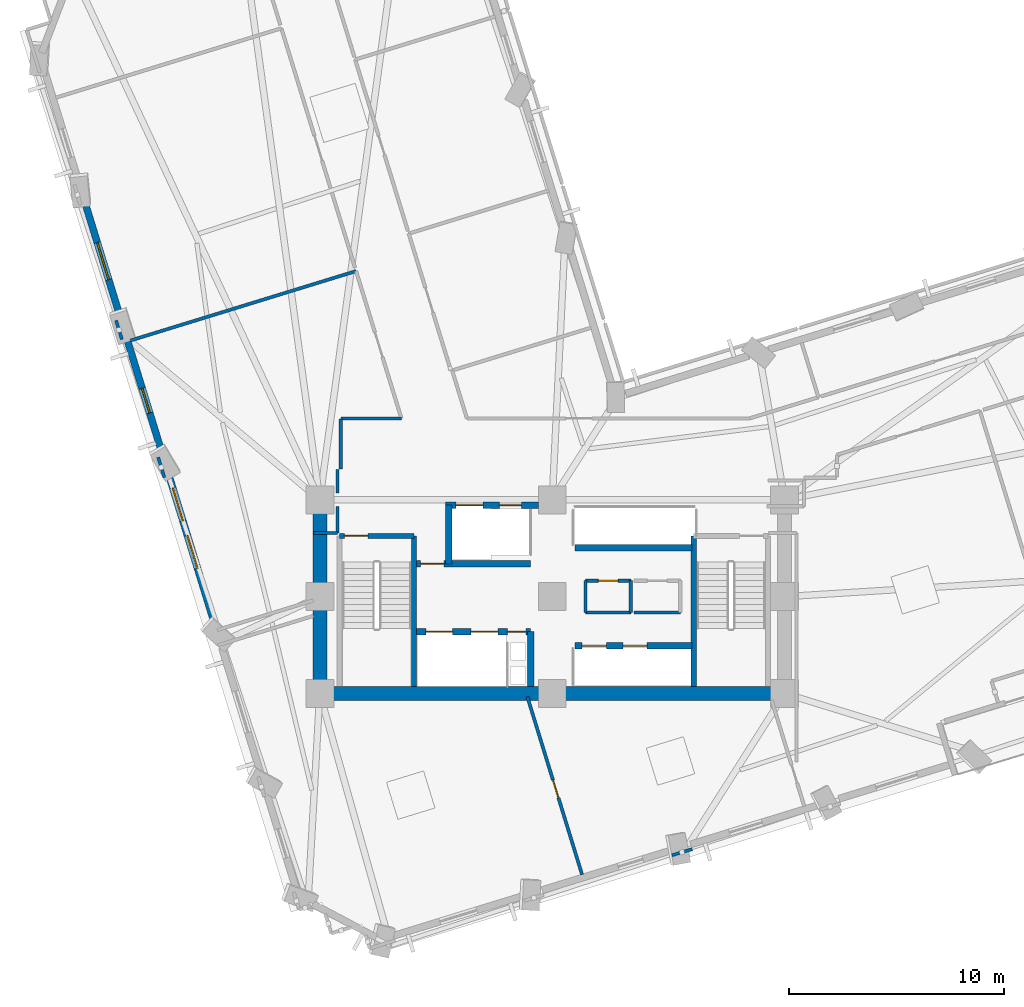
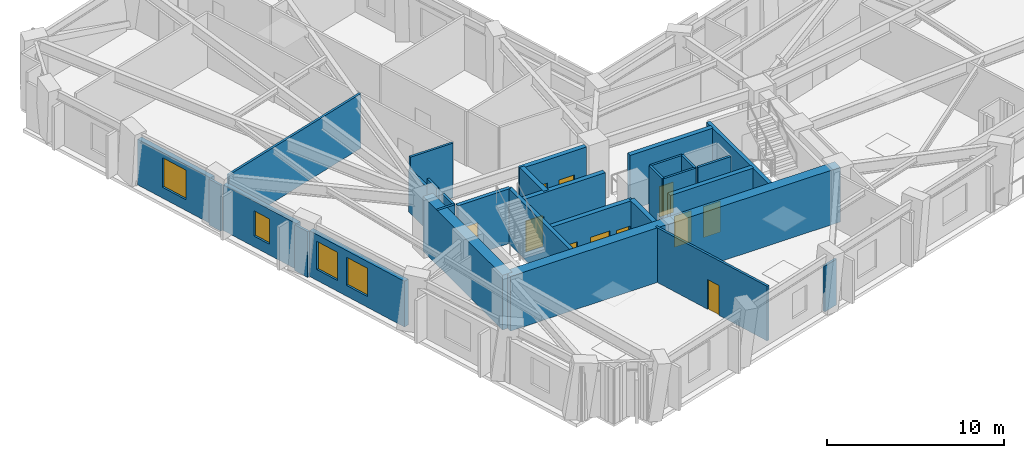
# One storey, part 7 of 14: 31 walls, 11 doors, 4 windows, 15 openings.
"""IFC4 building model written with IfcOpenShell, lengths in metres."""

from ifc_helpers import new_model, si_unit, direction, frame, frame_2d, origin, place, context, subcontext, project, spatial, rectangle, extrude, material, layer, layer_set, type_object, element, fill, save


model = new_model("IFC4")

# Units and contexts
model_context = context("Model", 3, precision=1e-05, world=origin(), true_north=direction((0.0, 1.0)))
body_context = subcontext(model_context, "Body", "Model", "MODEL_VIEW")
ifc_project = project(units=[si_unit("LENGTHUNIT", "METRE"), si_unit("AREAUNIT", "SQUARE_METRE"), si_unit("VOLUMEUNIT", "CUBIC_METRE"), si_unit("PLANEANGLEUNIT", "RADIAN"), si_unit("MASSUNIT", "GRAM", prefix="KILO")], contexts=[model_context])

# Site, building, storey
site_placement = place(None, origin())
site = spatial("IfcSite", under=ifc_project, at=site_placement, CompositionType="ELEMENT")
building_placement = place(site_placement, origin())
building = spatial("IfcBuilding", under=site, at=building_placement, Name="Gaonmaruhae Medical Tower", CompositionType="ELEMENT")
storey_placement = place(building_placement, frame((0.0, 0.0, 96.39990234375)))
storey = spatial("IfcBuildingStorey", under=building, at=storey_placement, Name="L22", CompositionType="ELEMENT", Elevation=96.39990234375)

# Walls
ifc_material_1 = material(Name="Concrete C60/75", Category="concrete")
ifc_layer_1 = layer(ifc_material_1, 0.64990234375)
ifc_layer_set_1 = layer_set([ifc_layer_1], Name="Concrete C60/75")
wall_type_1 = type_object("IfcWallType", Name="CW-650 Zone 2 Core Shear Wall", PredefinedType="SHEAR", material=ifc_layer_set_1)
for number, where, z_axis, x_axis, name in (
    (1, (14.0, 7.800048828125, 0.0), (0.0, 0.0, 1.0), (1.0, 0.0, 0.0), "L22 Core Shear Wall CSW-S1"),
    (2, (24.800048828125, 7.800048828125, 0.0), (0.0, 0.0, 1.0), (1.0, 0.0, 0.0), "L22 Core Shear Wall CSW-S2"),
):
    element("IfcWall", number, at=place(storey_placement, frame(where, z_axis=z_axis, x_axis=x_axis)), inside=storey, type_object=wall_type_1, Name=name, PredefinedType="SHEAR", context=body_context, shape_type="SweptSolid", body=[
        extrude(rectangle(XDim=10.800048828125, YDim=0.64990234375, at=frame_2d((5.39990234375, 0.0))), origin(), (0.0, 0.0, 1.0), 3.780029296875),
    ])
wall_1_placement = place(storey_placement, frame((14.0, 16.800048828125, 0.0), z_axis=(0.0, 0.0, 1.0), x_axis=(0.0, -1.0, 0.0)))
element("IfcWall", 3, at=wall_1_placement, inside=storey, type_object=wall_type_1, Name="L22 Core Shear Wall CSW-W1", PredefinedType="SHEAR", context=body_context, shape_type="SweptSolid", body=[
    extrude(rectangle(XDim=9.0, YDim=0.64990234375, at=frame_2d((4.5, 0.0))), origin(), (0.0, 0.0, 1.0), 3.780029296875),
])

# Wall, opening, window
ifc_material_2 = material(Name="Precast concrete C45/55", Category="concrete")
ifc_layer_2 = layer(ifc_material_2, 0.320068359375)
ifc_layer_set_2 = layer_set([ifc_layer_2], Name="Precast concrete C45/55")
wall_type_2 = type_object("IfcWallType", Name="EW-320 Lower Precast Masonry-Frame Facade Wall", PredefinedType="SOLIDWALL", material=ifc_layer_set_2)
wall_2_placement = place(storey_placement, frame((4.75732421875, 25.199951171875, 0.0), z_axis=(0.0, 0.0, 1.0), x_axis=(-0.29404317004, 0.955792139617, 0.0)))
wall_2 = element("IfcWall", 4, at=wall_2_placement, inside=storey, type_object=wall_type_2, Name="L22 Precast Masonry-Frame Wall W02-W03", PredefinedType="SOLIDWALL", context=body_context, shape_type="SweptSolid", body=[
    extrude(rectangle(XDim=5.627685546875, YDim=0.320068359375, at=frame_2d((2.81396484375, 0.0))), origin(), (0.0, 0.0, 1.0), 3.1650390625),
])
opening_1_placement = place(wall_2_placement, frame((1.9111328125, 0.0, 0.75)))
opening_1 = element("IfcOpeningElement", 5, at=opening_1_placement, cuts=wall_2, Name="Opening WN-04", PredefinedType="OPENING", context=body_context, shape_type="SweptSolid", body=[
    extrude(rectangle(XDim=1.800048828125, YDim=2.050048828125, at=frame_2d((0.89990234375, 1.02490234375))), frame((0.0, 0.169921875, 0.0), z_axis=(0.0, -1.0, 0.0), x_axis=(1.0, 0.0, 0.0)), (0.0, 0.0, 1.0), 0.340087890625),
])
ifc_material_3 = material(Name="Anodised aluminium and Low-E double glazing", Category="aluminium")
window_type_1 = type_object("IfcWindowType", Name="WN-04 Clinic & Consult Punched Window 1800x2050", PartitioningType="SINGLE_PANEL", PredefinedType="WINDOW", material=ifc_material_3)
window_1_placement = place(opening_1_placement, origin())
window_1 = element("IfcWindow", 6, at=window_1_placement, inside=storey, type_object=window_type_1, Name="L22 Modular Facade Window W02", OverallHeight=2.050048828125, OverallWidth=1.800048828125, PartitioningType="SINGLE_PANEL", PredefinedType="WINDOW", context=body_context, shape_type="SweptSolid", body=[
    extrude(rectangle(XDim=1.800048828125, YDim=2.050048828125, at=frame_2d((0.89990234375, 1.02490234375))), frame((0.0, 0.030029296875, 0.0), z_axis=(0.0, -1.0, 0.0), x_axis=(1.0, 0.0, 0.0)), (0.0, 0.0, 1.0), 0.06005859375),
])
fill(opening_1, window_1)

wall_3_placement = place(storey_placement, frame((6.711181640625, 18.848876953125, 0.0), z_axis=(0.0, 0.0, 1.0), x_axis=(-0.294022219877, 0.955798584545, 0.0)))
wall_3 = element("IfcWall", 7, at=wall_3_placement, inside=storey, type_object=wall_type_2, Name="L22 Precast Masonry-Frame Wall W03-W04", PredefinedType="SOLIDWALL", context=body_context, shape_type="SweptSolid", body=[
    extrude(rectangle(XDim=5.662109375, YDim=0.320068359375, at=frame_2d((2.8310546875, 0.0))), origin(), (0.0, 0.0, 1.0), 3.1650390625),
])
opening_2_placement = place(wall_3_placement, frame((2.0732421875, 0.0, 0.75)))
opening_2 = element("IfcOpeningElement", 8, at=opening_2_placement, cuts=wall_3, Name="Opening WN-05", PredefinedType="OPENING", context=body_context, shape_type="SweptSolid", body=[
    extrude(rectangle(XDim=1.199951171875, YDim=1.75, at=frame_2d((0.60009765625, 0.875))), frame((0.0, 0.169921875, 0.0), z_axis=(0.0, -1.0, 0.0), x_axis=(1.0, 0.0, 0.0)), (0.0, 0.0, 1.0), 0.340087890625),
])
window_type_2 = type_object("IfcWindowType", Name="WN-05 Support & Staff Punched Window 1200x1750", PartitioningType="SINGLE_PANEL", PredefinedType="WINDOW", material=ifc_material_3)
window_2_placement = place(opening_2_placement, origin())
window_2 = element("IfcWindow", 9, at=window_2_placement, inside=storey, type_object=window_type_2, Name="L22 Modular Facade Window W03", OverallHeight=1.75, OverallWidth=1.199951171875, PartitioningType="SINGLE_PANEL", PredefinedType="WINDOW", context=body_context, shape_type="SweptSolid", body=[
    extrude(rectangle(XDim=1.199951171875, YDim=1.75, at=frame_2d((0.60009765625, 0.875))), frame((0.0, 0.030029296875, 0.0), z_axis=(0.0, -1.0, 0.0), x_axis=(1.0, 0.0, 0.0)), (0.0, 0.0, 1.0), 0.06005859375),
])
fill(opening_2, window_2)

# Wall, openings, windows
wall_4_placement = place(storey_placement, frame((9.1669921875, 10.86572265625, 0.0), z_axis=(0.0, 0.0, 1.0), x_axis=(-0.294020583558, 0.955799087907, 0.0)))
wall_4 = element("IfcWall", 10, at=wall_4_placement, inside=storey, type_object=wall_type_2, Name="L22 Precast Masonry-Frame Wall W04-W05", PredefinedType="SOLIDWALL", context=body_context, shape_type="SweptSolid", body=[
    extrude(rectangle(XDim=7.3603515625, YDim=0.320068359375, at=frame_2d((3.68017578125, 0.0))), origin(), (0.0, 0.0, 1.0), 3.1650390625),
])
opening_3_placement = place(wall_4_placement, frame((2.880859375, 0.0, 0.75)))
opening_3 = element("IfcOpeningElement", 11, at=opening_3_placement, cuts=wall_4, Name="Opening WN-01", PredefinedType="OPENING", context=body_context, shape_type="SweptSolid", body=[
    extrude(rectangle(XDim=1.60009765625, YDim=1.949951171875, at=frame_2d((0.800048828125, 0.97509765625))), frame((0.0, 0.169921875, 0.0), z_axis=(0.0, -1.0, 0.0), x_axis=(1.0, 0.0, 0.0)), (0.0, 0.0, 1.0), 0.340087890625),
])
opening_4_placement = place(wall_4_placement, frame((5.185546875, 0.0, 0.75)))
opening_4 = element("IfcOpeningElement", 12, at=opening_4_placement, cuts=wall_4, Name="Opening WN-01", PredefinedType="OPENING", context=body_context, shape_type="SweptSolid", body=[
    extrude(rectangle(XDim=1.60009765625, YDim=1.949951171875, at=frame_2d((0.800048828125, 0.97509765625))), frame((0.0, 0.169921875, 0.0), z_axis=(0.0, -1.0, 0.0), x_axis=(1.0, 0.0, 0.0)), (0.0, 0.0, 1.0), 0.340087890625),
])
window_type_3 = type_object("IfcWindowType", Name="WN-01 Ward Punched Acoustic Window 1600x1950", PartitioningType="SINGLE_PANEL", PredefinedType="WINDOW", material=ifc_material_3)
window_3_placement = place(opening_3_placement, origin())
window_3 = element("IfcWindow", 13, at=window_3_placement, inside=storey, type_object=window_type_3, Name="L22 Modular Facade Window W04", OverallHeight=1.949951171875, OverallWidth=1.60009765625, PartitioningType="SINGLE_PANEL", PredefinedType="WINDOW", context=body_context, shape_type="SweptSolid", body=[
    extrude(rectangle(XDim=1.60009765625, YDim=1.949951171875, at=frame_2d((0.800048828125, 0.97509765625))), frame((0.0, 0.030029296875, 0.0), z_axis=(0.0, -1.0, 0.0), x_axis=(1.0, 0.0, 0.0)), (0.0, 0.0, 1.0), 0.06005859375),
])
fill(opening_3, window_3)
window_4_placement = place(opening_4_placement, origin())
window_4 = element("IfcWindow", 14, at=window_4_placement, inside=storey, type_object=window_type_3, Name="L22 Modular Facade Window W04B", OverallHeight=1.949951171875, OverallWidth=1.60009765625, PartitioningType="SINGLE_PANEL", PredefinedType="WINDOW", context=body_context, shape_type="SweptSolid", body=[
    extrude(rectangle(XDim=1.60009765625, YDim=1.949951171875, at=frame_2d((0.800048828125, 0.97509765625))), frame((0.0, 0.030029296875, 0.0), z_axis=(0.0, -1.0, 0.0), x_axis=(1.0, 0.0, 0.0)), (0.0, 0.0, 1.0), 0.06005859375),
])
fill(opening_4, window_4)

# Wall
ifc_material_4 = material(Name="Gypsum board partition", Category="gypsum")
ifc_layer_3 = layer(ifc_material_4, 0.14990234375)
ifc_layer_set_3 = layer_set([ifc_layer_3], Name="Gypsum board partition")
wall_type_3 = type_object("IfcWallType", Name="PW-150 Rated Clinical Corridor Partition", PredefinedType="PARTITIONING", material=ifc_layer_set_3)
wall_5_placement = place(storey_placement, frame((26.35009765625, 11.56005859375, 0.0), z_axis=(0.0, 0.0, 1.0), x_axis=(0.0, 1.0, 0.0)))
element("IfcWall", 15, at=wall_5_placement, inside=storey, type_object=wall_type_3, Name="L22 Interior Partition L22-CS1-1", PredefinedType="PARTITIONING", context=body_context, shape_type="SweptSolid", body=[
    extrude(rectangle(XDim=1.47998046875, YDim=0.14990234375, at=frame_2d((0.739990234375, 0.0))), origin(), (0.0, 0.0, 1.0), 3.780029296875),
])

# Wall, opening, door
wall_6_placement = place(storey_placement, frame((26.35009765625, 13.0400390625, 0.0), z_axis=(0.0, 0.0, 1.0), x_axis=(1.0, 0.0, 0.0)))
wall_6 = element("IfcWall", 16, at=wall_6_placement, inside=storey, type_object=wall_type_3, Name="L22 Interior Partition L22-CS1-2", PredefinedType="PARTITIONING", context=body_context, shape_type="SweptSolid", body=[
    extrude(rectangle(XDim=2.099853515625, YDim=0.14990234375, at=frame_2d((1.0498046875, 0.0))), origin(), (0.0, 0.0, 1.0), 3.780029296875),
])
opening_5_placement = place(wall_6_placement, frame((0.590087890625, 0.0, 0.0)))
opening_5 = element("IfcOpeningElement", 17, at=opening_5_placement, cuts=wall_6, Name="Opening UD-01", PredefinedType="OPENING", context=body_context, shape_type="SweptSolid", body=[
    extrude(rectangle(XDim=0.919921875, YDim=2.10009765625, at=frame_2d((0.4599609375, 1.050048828125))), frame((0.0, 0.0849609375, 0.0), z_axis=(0.0, -1.0, 0.0), x_axis=(1.0, 0.0, 0.0)), (0.0, 0.0, 1.0), 0.169921875),
])
ifc_material_5 = material(Name="Powder-coated steel utility door", Category="steel")
door_type_1 = type_object("IfcDoorType", Name="UD-01 Toilet, Utility & Housekeeping Door 920x2100", OperationType="NOTDEFINED", PredefinedType="DOOR", material=ifc_material_5)
door_1_placement = place(opening_5_placement, origin())
door_1 = element("IfcDoor", 18, at=door_1_placement, inside=storey, type_object=door_type_1, Name="L22 Accessible Staff Toilet Door", OperationType="SINGLE_SWING_RIGHT", OverallHeight=2.10009765625, OverallWidth=0.919921875, PredefinedType="DOOR", context=body_context, shape_type="SweptSolid", body=[
    extrude(rectangle(XDim=0.919921875, YDim=2.10009765625, at=frame_2d((0.4599609375, 1.050048828125))), frame((0.0, 0.02490234375, 0.0), z_axis=(0.0, -1.0, 0.0), x_axis=(1.0, 0.0, 0.0)), (0.0, 0.0, 1.0), 0.050048828125),
])
fill(opening_5, door_1)

# Walls
wall_7_placement = place(storey_placement, frame((28.449951171875, 13.0400390625, 0.0), z_axis=(0.0, 0.0, 1.0), x_axis=(0.0, -1.0, 0.0)))
element("IfcWall", 19, at=wall_7_placement, inside=storey, type_object=wall_type_3, Name="L22 Interior Partition L22-CS1-3", PredefinedType="PARTITIONING", context=body_context, shape_type="SweptSolid", body=[
    extrude(rectangle(XDim=1.47998046875, YDim=0.14990234375, at=frame_2d((0.739990234375, 0.0))), origin(), (0.0, 0.0, 1.0), 3.780029296875),
])
wall_8_placement = place(storey_placement, frame((28.449951171875, 11.56005859375, 0.0), z_axis=(0.0, 0.0, 1.0), x_axis=(-1.0, 0.0, 0.0)))
element("IfcWall", 20, at=wall_8_placement, inside=storey, type_object=wall_type_3, Name="L22 Interior Partition L22-CS1-4", PredefinedType="PARTITIONING", context=body_context, shape_type="SweptSolid", body=[
    extrude(rectangle(XDim=2.099853515625, YDim=0.14990234375, at=frame_2d((1.0498046875, 0.0))), origin(), (0.0, 0.0, 1.0), 3.780029296875),
])
wall_9_placement = place(storey_placement, frame((30.75, 11.56005859375, 0.0), z_axis=(0.0, 0.0, 1.0), x_axis=(-1.0, 0.0, 0.0)))
element("IfcWall", 21, at=wall_9_placement, inside=storey, type_object=wall_type_3, Name="L22 Interior Partition L22-CS2-7", PredefinedType="PARTITIONING", context=body_context, shape_type="SweptSolid", body=[
    extrude(rectangle(XDim=2.14990234375, YDim=0.14990234375, at=frame_2d((1.074951171875, 0.0))), origin(), (0.0, 0.0, 1.0), 3.780029296875),
])

# Wall, opening, door
wall_10_placement = place(storey_placement, frame((23.64404296875, 7.64697265625, 0.0), z_axis=(0.0, 0.0, 1.0), x_axis=(0.294077912985, -0.955781450487, 0.0)))
wall_10 = element("IfcWall", 22, at=wall_10_placement, inside=storey, type_object=wall_type_3, Name="L22 Interior Partition L22-SUP01-9", PredefinedType="PARTITIONING", context=body_context, shape_type="SweptSolid", body=[
    extrude(rectangle(XDim=8.647216796875, YDim=0.14990234375, at=frame_2d((4.32373046875, 0.0))), origin(), (0.0, 0.0, 1.0), 3.780029296875),
])
opening_6_placement = place(wall_10_placement, frame((4.05078125, 0.0, 0.0)))
opening_6 = element("IfcOpeningElement", 23, at=opening_6_placement, cuts=wall_10, Name="Opening AD-01", PredefinedType="OPENING", context=body_context, shape_type="SweptSolid", body=[
    extrude(rectangle(XDim=0.860107421875, YDim=2.06005859375, at=frame_2d((0.43017578125, 1.030029296875))), frame((0.0, 0.0849609375, 0.0), z_axis=(0.0, -1.0, 0.0), x_axis=(1.0, 0.0, 0.0)), (0.0, 0.0, 1.0), 0.169921875),
])
ifc_material_6 = material(Name="Powder-coated steel access door", Category="steel")
door_type_2 = type_object("IfcDoorType", Name="AD-01 Riser & Closet Access Fire Door 860x2060", OperationType="NOTDEFINED", PredefinedType="DOOR", material=ifc_material_6)
door_2_placement = place(opening_6_placement, origin())
door_2 = element("IfcDoor", 24, at=door_2_placement, inside=storey, type_object=door_type_2, Name="L22 Clinical Biomedical Charting Office Sliding Door", OperationType="SLIDING_TO_LEFT", OverallHeight=2.06005859375, OverallWidth=0.860107421875, PredefinedType="DOOR", context=body_context, shape_type="SweptSolid", body=[
    extrude(rectangle(XDim=0.860107421875, YDim=2.06005859375, at=frame_2d((0.43017578125, 1.030029296875))), frame((0.0, 0.02490234375, 0.0), z_axis=(0.0, -1.0, 0.0), x_axis=(1.0, 0.0, 0.0)), (0.0, 0.0, 1.0), 0.050048828125),
])
fill(opening_6, door_2)

# Walls
wall_11_placement = place(storey_placement, frame((31.297119140625, 0.572021484375, 0.0), z_axis=(0.0, 0.0, 1.0), x_axis=(-0.955757446398, -0.294155917253, 0.0)))
element("IfcWall", 25, at=wall_11_placement, inside=storey, type_object=wall_type_3, Name="L22 Interior Partition L22-SUP02-18", PredefinedType="PARTITIONING", context=body_context, shape_type="SweptSolid", body=[
    extrude(rectangle(XDim=0.979248046875, YDim=0.14990234375, at=frame_2d((0.48974609375, 0.0))), origin(), (0.0, 0.0, 1.0), 3.1650390625),
])
wall_12_placement = place(storey_placement, frame((14.969970703125, 20.550048828125, 0.0), z_axis=(0.0, 0.0, 1.0), x_axis=(0.0, -1.0, 0.0)))
element("IfcWall", 26, at=wall_12_placement, inside=storey, type_object=wall_type_3, Name="L22 Interior Partition L22-WOF05-38", PredefinedType="PARTITIONING", context=body_context, shape_type="SweptSolid", body=[
    extrude(rectangle(XDim=2.320068359375, YDim=0.14990234375, at=frame_2d((1.16015625, 0.0))), origin(), (0.0, 0.0, 1.0), 2.965087890625),
])
wall_13_placement = place(storey_placement, frame((14.820068359375, 18.199951171875, 0.0), z_axis=(0.0, 0.0, 1.0), x_axis=(0.0, -1.0, 0.0)))
element("IfcWall", 27, at=wall_13_placement, inside=storey, type_object=wall_type_3, Name="L22 Interior Partition L22-WOF05-39", PredefinedType="PARTITIONING", context=body_context, shape_type="SweptSolid", body=[
    extrude(rectangle(XDim=1.091064453125, YDim=0.14990234375, at=frame_2d((0.54541015625, 0.0))), origin(), (0.0, 0.0, 1.0), 3.780029296875),
])
wall_14_placement = place(storey_placement, frame((14.820068359375, 16.490966796875, 0.0), z_axis=(0.0, 0.0, 1.0), x_axis=(0.0, -1.0, 0.0)))
element("IfcWall", 28, at=wall_14_placement, inside=storey, type_object=wall_type_3, Name="L22 Interior Partition L22-WOF05-40", PredefinedType="PARTITIONING", context=body_context, shape_type="SweptSolid", body=[
    extrude(rectangle(XDim=1.23095703125, YDim=0.14990234375, at=frame_2d((0.615478515625, 0.0))), origin(), (0.0, 0.0, 1.0), 3.780029296875),
])
wall_15_placement = place(storey_placement, frame((14.820068359375, 15.260009765625, 0.0), z_axis=(0.0, 0.0, 1.0), x_axis=(-1.0, 0.0, 0.0)))
element("IfcWall", 29, at=wall_15_placement, inside=storey, type_object=wall_type_3, Name="L22 Interior Partition L22-WOF05-41", PredefinedType="PARTITIONING", context=body_context, shape_type="SweptSolid", body=[
    extrude(rectangle(XDim=1.1201171875, YDim=0.14990234375, at=frame_2d((0.56005859375, 0.0))), origin(), (0.0, 0.0, 1.0), 3.780029296875),
])
wall_16_placement = place(storey_placement, frame((6.782958984375, 17.8330078125, 0.0), z_axis=(0.0, 0.0, 1.0), x_axis=(-0.29436255807, 0.955693823568, 0.0)))
element("IfcWall", 30, at=wall_16_placement, inside=storey, type_object=wall_type_3, Name="L22 Interior Partition L22-WOF05-43", PredefinedType="PARTITIONING", context=body_context, shape_type="SweptSolid", body=[
    extrude(rectangle(XDim=0.991943359375, YDim=0.14990234375, at=frame_2d((0.49609375, 0.0))), origin(), (0.0, 0.0, 1.0), 3.1650390625),
])
wall_17_placement = place(storey_placement, frame((5.2060546875, 24.198974609375, 0.0), z_axis=(0.0, 0.0, 1.0), x_axis=(0.955774194853, 0.294101493455, 0.0)))
element("IfcWall", 31, at=wall_17_placement, inside=storey, type_object=wall_type_3, Name="L22 Interior Partition L22-WOF05-44", PredefinedType="PARTITIONING", context=body_context, shape_type="SweptSolid", body=[
    extrude(rectangle(XDim=10.9658203125, YDim=0.14990234375, at=frame_2d((5.48291015625, 0.0))), origin(), (0.0, 0.0, 1.0), 3.780029296875),
])
wall_18_placement = place(storey_placement, frame((17.7919921875, 20.580078125, 0.0), z_axis=(0.0, 0.0, 1.0), x_axis=(-1.0, 0.0, 0.0)))
element("IfcWall", 32, at=wall_18_placement, inside=storey, type_object=wall_type_3, Name="L22 Interior Partition L22-WOF05-46", PredefinedType="PARTITIONING", context=body_context, shape_type="SweptSolid", body=[
    extrude(rectangle(XDim=2.794921875, YDim=0.14990234375, at=frame_2d((1.3974609375, 0.0))), origin(), (0.0, 0.0, 1.0), 3.780029296875),
])
wall_19_placement = place(storey_placement, frame((4.81005859375, 24.2451171875, 0.0), z_axis=(0.0, 0.0, 1.0), x_axis=(-0.294122821945, 0.955767631598, 0.0)))
element("IfcWall", 33, at=wall_19_placement, inside=storey, type_object=wall_type_3, Name="L22 Interior Partition L22-WOF06-49", PredefinedType="PARTITIONING", context=body_context, shape_type="SweptSolid", body=[
    extrude(rectangle(XDim=0.927978515625, YDim=0.14990234375, at=frame_2d((0.4638671875, 0.0))), origin(), (0.0, 0.0, 1.0), 3.1650390625),
])

# Wall, opening, door
ifc_material_7 = material(Name="Concrete C50/60", Category="concrete")
ifc_layer_4 = layer(ifc_material_7, 0.239990234375)
ifc_layer_set_4 = layer_set([ifc_layer_4], Name="Concrete C50/60")
wall_type_4 = type_object("IfcWallType", Name="SW-240 Dogleg Stair Tight Shaft Wall", PredefinedType="SOLIDWALL", material=ifc_layer_set_4)
wall_20_placement = place(storey_placement, frame((14.919921875, 15.1201171875, 0.0), z_axis=(0.0, 0.0, 1.0), x_axis=(1.0, 0.0, 0.0)))
wall_20 = element("IfcWall", 34, at=wall_20_placement, inside=storey, type_object=wall_type_4, Name="L22 ST-01 Stair Shaft Wall SHW-ST-01-N", PredefinedType="SOLIDWALL", context=body_context, shape_type="SweptSolid", body=[
    extrude(rectangle(XDim=3.4599609375, YDim=0.239990234375, at=frame_2d((1.72998046875, 0.0))), origin(), (0.0, 0.0, 1.0), 3.780029296875),
])
opening_7_placement = place(wall_20_placement, frame((0.219970703125, 0.0, 0.0)))
opening_7 = element("IfcOpeningElement", 35, at=opening_7_placement, cuts=wall_20, Name="Opening FD-01", PredefinedType="OPENING", context=body_context, shape_type="SweptSolid", body=[
    extrude(rectangle(XDim=1.10009765625, YDim=2.14990234375, at=frame_2d((0.550048828125, 1.074951171875))), frame((0.0, 0.1298828125, 0.0), z_axis=(0.0, -1.0, 0.0), x_axis=(1.0, 0.0, 0.0)), (0.0, 0.0, 1.0), 0.260009765625),
])
ifc_material_8 = material(Name="Powder-coated steel fire door", Category="steel")
door_type_3 = type_object("IfcDoorType", Name="FD-01 Escape Stair Protected Fire Door 1100x2150", OperationType="NOTDEFINED", PredefinedType="DOOR", material=ifc_material_8)
door_3_placement = place(opening_7_placement, origin())
door_3 = element("IfcDoor", 36, at=door_3_placement, inside=storey, type_object=door_type_3, Name="L22 ST-01 Protected Escape Stair Door", OperationType="SINGLE_SWING_RIGHT", OverallHeight=2.14990234375, OverallWidth=1.10009765625, PredefinedType="DOOR", context=body_context, shape_type="SweptSolid", body=[
    extrude(rectangle(XDim=1.10009765625, YDim=2.14990234375, at=frame_2d((0.550048828125, 1.074951171875))), frame((0.0, 0.02490234375, 0.0), z_axis=(0.0, -1.0, 0.0), x_axis=(1.0, 0.0, 0.0)), (0.0, 0.0, 1.0), 0.050048828125),
])
fill(opening_7, door_3)

# Walls
for number, where, z_axis, x_axis, name in (
    (37, (18.3798828125, 15.1201171875, 0.0), (0.0, 0.0, 1.0), (0.0, -1.0, 0.0), "L22 ST-01 Stair Shaft Wall SHW-ST-01-E"),
    (38, (31.3701171875, 8.125, 0.0), (0.0, 0.0, 1.0), (0.0, 1.0, 0.0), "L22 ST-02 Stair Shaft Wall SHW-ST-02-W"),
):
    element("IfcWall", number, at=place(storey_placement, frame(where, z_axis=z_axis, x_axis=x_axis)), inside=storey, type_object=wall_type_4, Name=name, PredefinedType="SOLIDWALL", context=body_context, shape_type="SweptSolid", body=[
        extrude(rectangle(XDim=6.9951171875, YDim=0.239990234375, at=frame_2d((3.49755859375, 0.0))), origin(), (0.0, 0.0, 1.0), 3.780029296875),
    ])

# Wall, openings, doors
ifc_layer_5 = layer(ifc_material_7, 0.300048828125)
ifc_layer_set_5 = layer_set([ifc_layer_5], Name="Concrete C50/60")
wall_type_5 = type_object("IfcWallType", Name="SW-300 Stair & Lift Hoistway Shaft Wall", PredefinedType="SOLIDWALL", material=ifc_layer_set_5)
wall_21_placement = place(storey_placement, frame((19.85009765625, 16.550048828125, 0.0), z_axis=(0.0, 0.0, 1.0), x_axis=(1.0, 0.0, 0.0)))
wall_21 = element("IfcWall", 39, at=wall_21_placement, inside=storey, type_object=wall_type_5, Name="L22 Core Shear Wall CSW-NB", PredefinedType="SOLIDWALL", context=body_context, shape_type="SweptSolid", body=[
    extrude(rectangle(XDim=4.2998046875, YDim=0.300048828125, at=frame_2d((2.14990234375, 0.0))), origin(), (0.0, 0.0, 1.0), 3.780029296875),
])
opening_8_placement = place(wall_21_placement, frame((0.47509765625, 0.0, 0.0)))
opening_8 = element("IfcOpeningElement", 40, at=opening_8_placement, cuts=wall_21, Name="Opening LD-F1", PredefinedType="OPENING", context=body_context, shape_type="SweptSolid", body=[
    extrude(rectangle(XDim=1.25, YDim=2.179931640625, at=frame_2d((0.625, 1.08984375))), frame((0.0, 0.16015625, 0.0), z_axis=(0.0, -1.0, 0.0), x_axis=(1.0, 0.0, 0.0)), (0.0, 0.0, 1.0), 0.320068359375),
])
opening_9_placement = place(wall_21_placement, frame((2.489990234375, 0.0, 0.0)))
opening_9 = element("IfcOpeningElement", 41, at=opening_9_placement, cuts=wall_21, Name="Opening LD-S1", PredefinedType="OPENING", context=body_context, shape_type="SweptSolid", body=[
    extrude(rectangle(XDim=1.02001953125, YDim=2.1201171875, at=frame_2d((0.510009765625, 1.06005859375))), frame((0.0, 0.16015625, 0.0), z_axis=(0.0, -1.0, 0.0), x_axis=(1.0, 0.0, 0.0)), (0.0, 0.0, 1.0), 0.320068359375),
])
ifc_material_9 = material(Name="Brushed stainless steel 316L landing door", Category="steel")
door_type_4 = type_object("IfcDoorType", Name="LD-F1 Firefighting & Bed Lift Sliding Landing Door 1250x2180", OperationType="NOTDEFINED", PredefinedType="DOOR", material=ifc_material_9)
door_4_placement = place(opening_8_placement, origin())
door_4 = element("IfcDoor", 42, at=door_4_placement, inside=storey, type_object=door_type_4, Name="L22 Service/Bed Lift Landing Door BDL-01", OperationType="DOUBLE_DOOR_SLIDING", OverallHeight=2.179931640625, OverallWidth=1.25, PredefinedType="DOOR", context=body_context, shape_type="SweptSolid", body=[
    extrude(rectangle(XDim=1.25, YDim=2.179931640625, at=frame_2d((0.625, 1.08984375))), frame((0.0, 0.02490234375, 0.0), z_axis=(0.0, -1.0, 0.0), x_axis=(1.0, 0.0, 0.0)), (0.0, 0.0, 1.0), 0.050048828125),
])
fill(opening_8, door_4)
ifc_material_10 = material(Name="Brushed stainless steel 304 landing door", Category="steel")
door_type_5 = type_object("IfcDoorType", Name="LD-S1 Service Lift Sliding Landing Door 1020x2120", OperationType="NOTDEFINED", PredefinedType="DOOR", material=ifc_material_10)
door_5_placement = place(opening_9_placement, origin())
door_5 = element("IfcDoor", 43, at=door_5_placement, inside=storey, type_object=door_type_5, Name="L22 Service/Bed Lift Landing Door SVL-01", OperationType="SLIDING_TO_LEFT", OverallHeight=2.1201171875, OverallWidth=1.02001953125, PredefinedType="DOOR", context=body_context, shape_type="SweptSolid", body=[
    extrude(rectangle(XDim=1.02001953125, YDim=2.1201171875, at=frame_2d((0.510009765625, 1.06005859375))), frame((0.0, 0.02490234375, 0.0), z_axis=(0.0, -1.0, 0.0), x_axis=(1.0, 0.0, 0.0)), (0.0, 0.0, 1.0), 0.050048828125),
])
fill(opening_9, door_5)

wall_22_placement = place(storey_placement, frame((18.5, 10.679931640625, 0.0), z_axis=(0.0, 0.0, 1.0), x_axis=(1.0, 0.0, 0.0)))
wall_22 = element("IfcWall", 44, at=wall_22_placement, inside=storey, type_object=wall_type_5, Name="L22 Shaft Enclosure Wall SHW-FFN", PredefinedType="SOLIDWALL", context=body_context, shape_type="SweptSolid", body=[
    extrude(rectangle(XDim=5.300048828125, YDim=0.300048828125, at=frame_2d((2.64990234375, 0.0))), origin(), (0.0, 0.0, 1.0), 3.780029296875),
])
opening_10_placement = place(wall_22_placement, frame((4.219970703125, 0.0, 0.0)))
opening_10 = element("IfcOpeningElement", 45, at=opening_10_placement, cuts=wall_22, Name="Opening AD-01", PredefinedType="OPENING", context=body_context, shape_type="SweptSolid", body=[
    extrude(rectangle(XDim=0.860107421875, YDim=2.06005859375, at=frame_2d((0.43017578125, 1.030029296875))), frame((0.0, 0.16015625, 0.0), z_axis=(0.0, -1.0, 0.0), x_axis=(1.0, 0.0, 0.0)), (0.0, 0.0, 1.0), 0.320068359375),
])
opening_11_placement = place(wall_22_placement, frame((0.425048828125, 0.0, 0.0)))
opening_11 = element("IfcOpeningElement", 46, at=opening_11_placement, cuts=wall_22, Name="Opening LD-F1", PredefinedType="OPENING", context=body_context, shape_type="SweptSolid", body=[
    extrude(rectangle(XDim=1.25, YDim=2.179931640625, at=frame_2d((0.625, 1.08984375))), frame((0.0, 0.16015625, 0.0), z_axis=(0.0, -1.0, 0.0), x_axis=(1.0, 0.0, 0.0)), (0.0, 0.0, 1.0), 0.320068359375),
])
opening_12_placement = place(wall_22_placement, frame((2.52490234375, 0.0, 0.0)))
opening_12 = element("IfcOpeningElement", 47, at=opening_12_placement, cuts=wall_22, Name="Opening LD-F1", PredefinedType="OPENING", context=body_context, shape_type="SweptSolid", body=[
    extrude(rectangle(XDim=1.25, YDim=2.179931640625, at=frame_2d((0.625, 1.08984375))), frame((0.0, 0.16015625, 0.0), z_axis=(0.0, -1.0, 0.0), x_axis=(1.0, 0.0, 0.0)), (0.0, 0.0, 1.0), 0.320068359375),
])
door_6_placement = place(opening_10_placement, origin())
door_6 = element("IfcDoor", 48, at=door_6_placement, inside=storey, type_object=door_type_2, Name="L22 Medical Gas and MEP Riser Access Door", OperationType="SINGLE_SWING_RIGHT", OverallHeight=2.06005859375, OverallWidth=0.860107421875, PredefinedType="DOOR", context=body_context, shape_type="SweptSolid", body=[
    extrude(rectangle(XDim=0.860107421875, YDim=2.06005859375, at=frame_2d((0.43017578125, 1.030029296875))), frame((0.0, 0.02490234375, 0.0), z_axis=(0.0, -1.0, 0.0), x_axis=(1.0, 0.0, 0.0)), (0.0, 0.0, 1.0), 0.050048828125),
])
fill(opening_10, door_6)
door_7_placement = place(opening_11_placement, origin())
door_7 = element("IfcDoor", 49, at=door_7_placement, inside=storey, type_object=door_type_4, Name="L22 Firefighting Lift Landing Door FFL-01", OperationType="DOUBLE_DOOR_SLIDING", OverallHeight=2.179931640625, OverallWidth=1.25, PredefinedType="DOOR", context=body_context, shape_type="SweptSolid", body=[
    extrude(rectangle(XDim=1.25, YDim=2.179931640625, at=frame_2d((0.625, 1.08984375))), frame((0.0, 0.02490234375, 0.0), z_axis=(0.0, -1.0, 0.0), x_axis=(1.0, 0.0, 0.0)), (0.0, 0.0, 1.0), 0.050048828125),
])
fill(opening_11, door_7)
door_8_placement = place(opening_12_placement, origin())
door_8 = element("IfcDoor", 50, at=door_8_placement, inside=storey, type_object=door_type_4, Name="L22 Firefighting Lift Landing Door FFL-02", OperationType="DOUBLE_DOOR_SLIDING", OverallHeight=2.179931640625, OverallWidth=1.25, PredefinedType="DOOR", context=body_context, shape_type="SweptSolid", body=[
    extrude(rectangle(XDim=1.25, YDim=2.179931640625, at=frame_2d((0.625, 1.08984375))), frame((0.0, 0.02490234375, 0.0), z_axis=(0.0, -1.0, 0.0), x_axis=(1.0, 0.0, 0.0)), (0.0, 0.0, 1.0), 0.050048828125),
])
fill(opening_12, door_8)

# Wall, opening, door
wall_23_placement = place(storey_placement, frame((18.5, 13.820068359375, 0.0), z_axis=(0.0, 0.0, 1.0), x_axis=(1.0, 0.0, 0.0)))
wall_23 = element("IfcWall", 51, at=wall_23_placement, inside=storey, type_object=wall_type_5, Name="L22 Shaft Enclosure Wall SHW-FFL", PredefinedType="SOLIDWALL", context=body_context, shape_type="SweptSolid", body=[
    extrude(rectangle(XDim=5.300048828125, YDim=0.300048828125, at=frame_2d((2.64990234375, 0.0))), origin(), (0.0, 0.0, 1.0), 3.780029296875),
])
opening_13_placement = place(wall_23_placement, frame((0.179931640625, 0.0, 0.0)))
opening_13 = element("IfcOpeningElement", 52, at=opening_13_placement, cuts=wall_23, Name="Opening FD-01", PredefinedType="OPENING", context=body_context, shape_type="SweptSolid", body=[
    extrude(rectangle(XDim=1.10009765625, YDim=2.14990234375, at=frame_2d((0.550048828125, 1.074951171875))), frame((0.0, 0.16015625, 0.0), z_axis=(0.0, -1.0, 0.0), x_axis=(1.0, 0.0, 0.0)), (0.0, 0.0, 1.0), 0.320068359375),
])
door_9_placement = place(opening_13_placement, origin())
door_9 = element("IfcDoor", 53, at=door_9_placement, inside=storey, type_object=door_type_3, Name="L22 Firefighting Lobby Smoke Door", OperationType="SINGLE_SWING_LEFT", OverallHeight=2.14990234375, OverallWidth=1.10009765625, PredefinedType="DOOR", context=body_context, shape_type="SweptSolid", body=[
    extrude(rectangle(XDim=1.10009765625, YDim=2.14990234375, at=frame_2d((0.550048828125, 1.074951171875))), frame((0.0, 0.02490234375, 0.0), z_axis=(0.0, -1.0, 0.0), x_axis=(1.0, 0.0, 0.0)), (0.0, 0.0, 1.0), 0.050048828125),
])
fill(opening_13, door_9)

# Walls
wall_24_placement = place(storey_placement, frame((23.800048828125, 8.125, 0.0), z_axis=(0.0, 0.0, 1.0), x_axis=(0.0, 1.0, 0.0)))
element("IfcWall", 54, at=wall_24_placement, inside=storey, type_object=wall_type_5, Name="L22 Shaft Enclosure Wall SHW-FFE", PredefinedType="SOLIDWALL", context=body_context, shape_type="SweptSolid", body=[
    extrude(rectangle(XDim=2.554931640625, YDim=0.300048828125, at=frame_2d((1.27734375, 0.0))), origin(), (0.0, 0.0, 1.0), 3.780029296875),
])
wall_25_placement = place(storey_placement, frame((20.0, 13.820068359375, 0.0), z_axis=(0.0, 0.0, 1.0), x_axis=(0.0, 1.0, 0.0)))
element("IfcWall", 55, at=wall_25_placement, inside=storey, type_object=wall_type_5, Name="L22 Shaft Enclosure Wall SHW-BDW", PredefinedType="SOLIDWALL", context=body_context, shape_type="SweptSolid", body=[
    extrude(rectangle(XDim=2.72998046875, YDim=0.300048828125, at=frame_2d((1.364990234375, 0.0))), origin(), (0.0, 0.0, 1.0), 3.780029296875),
])

# Wall, openings, doors
wall_26_placement = place(storey_placement, frame((25.85009765625, 10.02001953125, 0.0), z_axis=(0.0, 0.0, 1.0), x_axis=(1.0, 0.0, 0.0)))
wall_26 = element("IfcWall", 56, at=wall_26_placement, inside=storey, type_object=wall_type_5, Name="L22 Shaft Enclosure Wall SHW-PLS", PredefinedType="SOLIDWALL", context=body_context, shape_type="SweptSolid", body=[
    extrude(rectangle(XDim=5.449951171875, YDim=0.300048828125, at=frame_2d((2.72509765625, 0.0))), origin(), (0.0, 0.0, 1.0), 3.780029296875),
])
opening_14_placement = place(wall_26_placement, frame((0.340087890625, 0.0, 0.0)))
opening_14 = element("IfcOpeningElement", 57, at=opening_14_placement, cuts=wall_26, Name="Opening LD-P1", PredefinedType="OPENING", context=body_context, shape_type="SweptSolid", body=[
    extrude(rectangle(XDim=1.1201171875, YDim=2.14990234375, at=frame_2d((0.56005859375, 1.074951171875))), frame((0.0, 0.16015625, 0.0), z_axis=(0.0, -1.0, 0.0), x_axis=(1.0, 0.0, 0.0)), (0.0, 0.0, 1.0), 0.320068359375),
])
opening_15_placement = place(wall_26_placement, frame((2.239990234375, 0.0, 0.0)))
opening_15 = element("IfcOpeningElement", 58, at=opening_15_placement, cuts=wall_26, Name="Opening LD-P1", PredefinedType="OPENING", context=body_context, shape_type="SweptSolid", body=[
    extrude(rectangle(XDim=1.1201171875, YDim=2.14990234375, at=frame_2d((0.56005859375, 1.074951171875))), frame((0.0, 0.16015625, 0.0), z_axis=(0.0, -1.0, 0.0), x_axis=(1.0, 0.0, 0.0)), (0.0, 0.0, 1.0), 0.320068359375),
])
door_type_6 = type_object("IfcDoorType", Name="LD-P1 Passenger Lift Sliding Landing Door 1120x2150", OperationType="NOTDEFINED", PredefinedType="DOOR", material=ifc_material_10)
door_10_placement = place(opening_14_placement, origin())
door_10 = element("IfcDoor", 59, at=door_10_placement, inside=storey, type_object=door_type_6, Name="L22 Passenger Lift Landing Door PL-L1", OperationType="DOUBLE_DOOR_SLIDING", OverallHeight=2.14990234375, OverallWidth=1.1201171875, PredefinedType="DOOR", context=body_context, shape_type="SweptSolid", body=[
    extrude(rectangle(XDim=1.1201171875, YDim=2.14990234375, at=frame_2d((0.56005859375, 1.074951171875))), frame((0.0, 0.02490234375, 0.0), z_axis=(0.0, -1.0, 0.0), x_axis=(1.0, 0.0, 0.0)), (0.0, 0.0, 1.0), 0.050048828125),
])
fill(opening_14, door_10)
door_11_placement = place(opening_15_placement, origin())
door_11 = element("IfcDoor", 60, at=door_11_placement, inside=storey, type_object=door_type_6, Name="L22 Passenger Lift Landing Door PL-L2", OperationType="DOUBLE_DOOR_SLIDING", OverallHeight=2.14990234375, OverallWidth=1.1201171875, PredefinedType="DOOR", context=body_context, shape_type="SweptSolid", body=[
    extrude(rectangle(XDim=1.1201171875, YDim=2.14990234375, at=frame_2d((0.56005859375, 1.074951171875))), frame((0.0, 0.02490234375, 0.0), z_axis=(0.0, -1.0, 0.0), x_axis=(1.0, 0.0, 0.0)), (0.0, 0.0, 1.0), 0.050048828125),
])
fill(opening_15, door_11)

# Wall
wall_27_placement = place(storey_placement, frame((25.85009765625, 14.580078125, 0.0), z_axis=(0.0, 0.0, 1.0), x_axis=(1.0, 0.0, 0.0)))
element("IfcWall", 61, at=wall_27_placement, inside=storey, type_object=wall_type_5, Name="L22 Shaft Enclosure Wall SHW-PLN", PredefinedType="SOLIDWALL", context=body_context, shape_type="SweptSolid", body=[
    extrude(rectangle(XDim=5.449951171875, YDim=0.300048828125, at=frame_2d((2.72509765625, 0.0))), origin(), (0.0, 0.0, 1.0), 3.780029296875),
])

save(model, "model.ifc")
